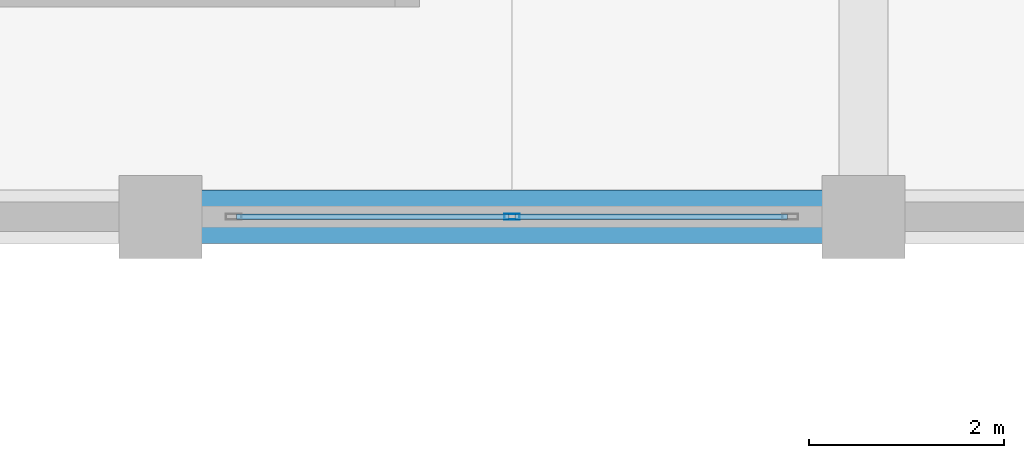
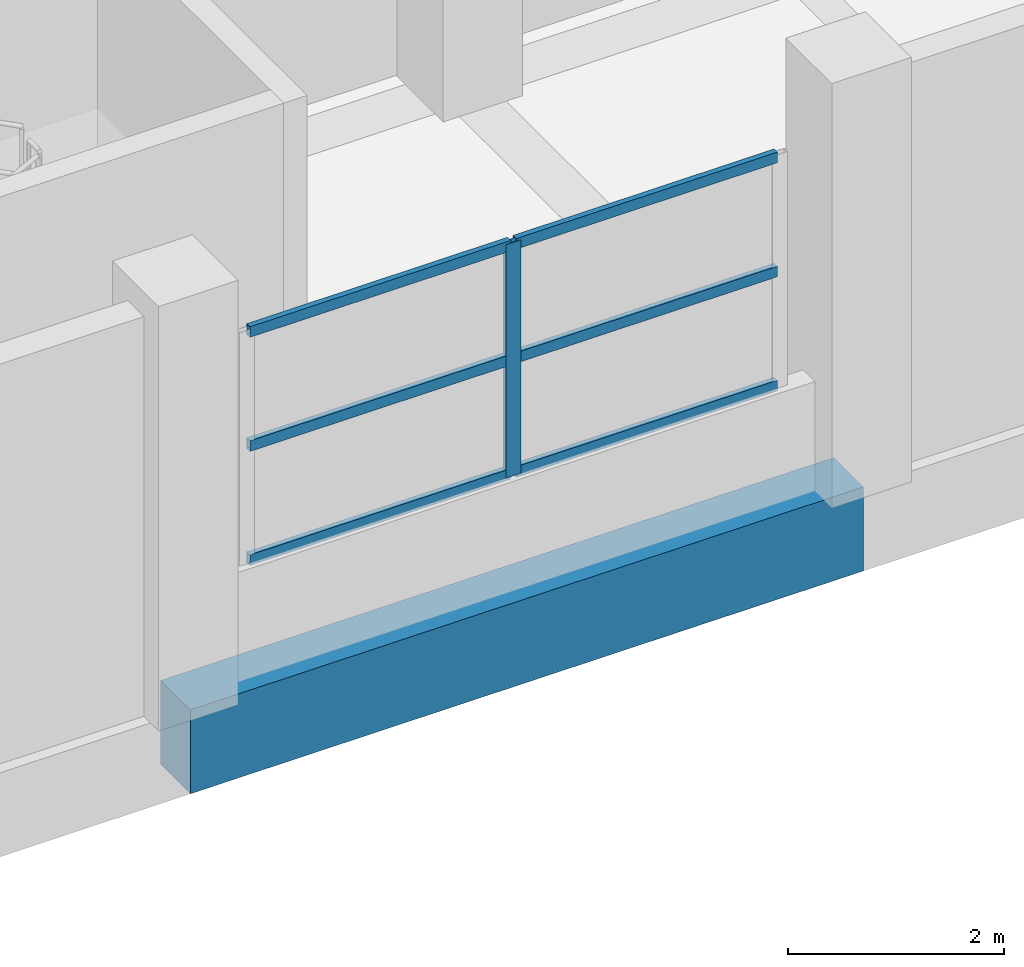
# One storey, part 74 of 181: 7 members, 1 beam, 1 element without a shape of its own.
"""IFC4 building model written with IfcOpenShell, lengths in metres."""

import ifcopenshell
import ifcopenshell.guid

model = None  # the IFC model being written
_history = None  # IfcOwnerHistory: only IFC2X3 demands one
_inside = {}  # id of a spatial element -> (the spatial element, [elements in it])
_under = {}  # id of a project, library or spatial element -> (it, [spatial elements below it])
_declared = {}  # id of a project -> (the project, [libraries it declares])
_typed = {}  # id of a type object -> (the type object, [elements of that type])
_made_of = {}  # id of a material, layer set ... -> (it, [elements and type objects made of it])


def new_model(schema):
    """Start an empty IFC model of exactly this schema.

    Asked for "IFC4X3", IfcOpenShell would pick the latest addendum, in which some entities
    have other attributes; the version numbers below select the first issue.
    IFC2X3 requires an IfcOwnerHistory on every rooted entity: one is made here for all.
    """
    global model, _history
    if schema == "IFC4X3":
        model = ifcopenshell.file(schema_version=(4, 3, 0, 0))
    else:
        model = ifcopenshell.file(schema=schema)
    _inside.clear()
    _under.clear()
    _declared.clear()
    _typed.clear()
    _made_of.clear()
    _history = None
    if model.schema == "IFC2X3":
        org = make("IfcOrganization", Name="unknown")
        user = make(
            "IfcPersonAndOrganization",
            ThePerson=make("IfcPerson", FamilyName="unknown"),
            TheOrganization=org,
        )
        app = make(
            "IfcApplication",
            ApplicationDeveloper=org,
            Version="unknown",
            ApplicationFullName="unknown",
            ApplicationIdentifier="unknown",
        )
        _history = make(
            "IfcOwnerHistory",
            OwningUser=user,
            OwningApplication=app,
            ChangeAction="ADDED",
            CreationDate=0,
        )
    return model


def make(cls, **values):
    """One entity of the class cls with the attributes given. An attribute that is None is left unset."""
    return model.create_entity(
        cls, **{name: value for name, value in values.items() if value is not None}
    )


def rooted(cls, **values):
    """An entity with a GlobalId (a new one), such as an element, a storey or a relation."""
    return make(cls, GlobalId=ifcopenshell.guid.new(), OwnerHistory=_history, **values)


def si_unit(unit_type, name, prefix=None):
    """IfcSIUnit, for example si_unit("LENGTHUNIT", "METRE", prefix="MILLI")."""
    return make("IfcSIUnit", UnitType=unit_type, Prefix=prefix, Name=name)


def assignment(units):
    """IfcUnitAssignment: the units of a project."""
    return None if units is None else make("IfcUnitAssignment", Units=units)


def point(xyz):
    """IfcCartesianPoint."""
    return None if xyz is None else make("IfcCartesianPoint", Coordinates=xyz)


def direction(xyz):
    """IfcDirection."""
    return None if xyz is None else make("IfcDirection", DirectionRatios=xyz)


def frame(location, z_axis=None, x_axis=None):
    """IfcAxis2Placement3D, a coordinate frame: its origin and axes. An axis left out is left unset."""
    return make(
        "IfcAxis2Placement3D",
        Location=point(location),
        Axis=direction(z_axis),
        RefDirection=direction(x_axis),
    )


def frame_2d(location, x_axis=None):
    """IfcAxis2Placement2D, a coordinate frame in the plane: its origin and x axis."""
    return make(
        "IfcAxis2Placement2D", Location=point(location), RefDirection=direction(x_axis)
    )


def origin():
    """The frame at (0, 0, 0) with its axes left unset."""
    return frame((0.0, 0.0, 0.0))


def origin_2d():
    """The frame at (0, 0) in the plane with its x axis left unset."""
    return frame_2d((0.0, 0.0))


def place(relative_to, where):
    """IfcLocalPlacement: puts the frame where relative to a parent placement (None: the world)."""
    return make(
        "IfcLocalPlacement", PlacementRelTo=relative_to, RelativePlacement=where
    )


def context(
    kind, dimensions, precision=None, world=None, true_north=None, identifier=None
):
    """IfcGeometricRepresentationContext, for example the 3D "Model" context."""
    return make(
        "IfcGeometricRepresentationContext",
        ContextIdentifier=identifier,
        ContextType=kind,
        CoordinateSpaceDimension=dimensions,
        Precision=precision,
        WorldCoordinateSystem=world,
        TrueNorth=true_north,
    )


def subcontext(parent, identifier, kind, view, scale=None):
    """IfcGeometricRepresentationSubContext, for example "Body" below "Model"."""
    return make(
        "IfcGeometricRepresentationSubContext",
        ContextIdentifier=identifier,
        ContextType=kind,
        ParentContext=parent,
        TargetScale=scale,
        TargetView=view,
    )


def project(units=None, contexts=None):
    """IfcProject with its units and contexts."""
    return rooted(
        "IfcProject",
        Name="project",
        RepresentationContexts=contexts,
        UnitsInContext=assignment(units),
    )


def spatial(cls, under=None, at=None, **own):
    """A site, building, storey or space (cls), placed at a placement, below another one or the project."""
    s = rooted(cls, ObjectPlacement=at, **own)
    if under is not None:
        _under.setdefault(under.id(), (under, []))[1].append(s)
    return s


def profile(cls, at=None, kind="AREA", **sizes):
    """A parametric profile (cls). Its sizes go by their IFC names, for example OverallWidth=200.0."""
    return make(cls, ProfileType=kind, Position=at, **sizes)


def rectangle(**sizes):
    """IfcRectangleProfileDef."""
    return profile("IfcRectangleProfileDef", **sizes)


def hollow_rectangle(**sizes):
    """IfcRectangleHollowProfileDef."""
    return profile("IfcRectangleHollowProfileDef", **sizes)


def extrude(swept, where, along, depth):
    """IfcExtrudedAreaSolid: the profile swept, set in the frame where, extruded along a direction by depth."""
    return make(
        "IfcExtrudedAreaSolid",
        SweptArea=swept,
        Position=where,
        ExtrudedDirection=direction(along),
        Depth=depth,
    )


def shape(context_of_items, identifier, shape_type, items):
    """IfcShapeRepresentation: the items that make up one representation, for example the "Body"."""
    return make(
        "IfcShapeRepresentation",
        ContextOfItems=context_of_items,
        RepresentationIdentifier=identifier,
        RepresentationType=shape_type,
        Items=items,
    )


def material(Name=None, Category=None):
    """IfcMaterial."""
    return make("IfcMaterial", Name=Name, Category=Category)


def layer(
    of_material, thickness, ventilated=None, Name=None, Category=None, Priority=None
):
    """IfcMaterialLayer: one layer of a wall or slab, of a material (None: an air gap)."""
    return make(
        "IfcMaterialLayer",
        Material=of_material,
        LayerThickness=thickness,
        IsVentilated=ventilated,
        Name=Name,
        Category=Category,
        Priority=Priority,
    )


def layer_set(layers, Name=None):
    """IfcMaterialLayerSet."""
    return make("IfcMaterialLayerSet", MaterialLayers=layers, LayerSetName=Name)


def material_profile(
    of_material, cross_section, Name=None, Category=None, Priority=None
):
    """IfcMaterialProfile: a cross section and its material."""
    return make(
        "IfcMaterialProfile",
        Name=Name,
        Material=of_material,
        Profile=cross_section,
        Priority=Priority,
        Category=Category,
    )


def profile_set(profiles, Name=None, composite=None):
    """IfcMaterialProfileSet."""
    return make(
        "IfcMaterialProfileSet",
        Name=Name,
        MaterialProfiles=profiles,
        CompositeProfile=composite,
    )


def made_of(thing, what):
    """Note that an element or type object is made of a material, layer set ...; save() writes the relation."""
    if what is not None:
        _made_of.setdefault(what.id(), (what, []))[1].append(thing)
    return thing


def type_object(cls, material=None, **own):
    """A type object (cls), such as IfcWallType, which elements share."""
    return made_of(rooted(cls, **own), material)


def element(
    cls,
    number,
    at=None,
    inside=None,
    cuts=None,
    type_object=None,
    material=None,
    context=None,
    identifier="Body",
    shape_type=None,
    held_by="IfcProductDefinitionShape",
    body=None,
    shapes=None,
    **own,
):
    """One element of the class cls, such as IfcWall. Its Tag is "e" and its number.

    at: its placement. inside: the storey or other place that contains it. cuts: it is an
    opening in that element (IfcRelVoidsElement). A single representation is given by context,
    identifier, shape_type and body (its items); several are given by shapes. held_by: the class
    of the entity that holds the representations. save() writes the other relations.
    """
    e = rooted(cls, Tag="e%d" % number, ObjectPlacement=at, **own)
    if body is not None:
        shapes = [shape(context, identifier, shape_type, body)]
    if shapes is not None:
        e.Representation = make(held_by, Representations=shapes)
    if inside is not None:
        _inside.setdefault(inside.id(), (inside, []))[1].append(e)
    if cuts is not None:
        rooted(
            "IfcRelVoidsElement", RelatingBuildingElement=cuts, RelatedOpeningElement=e
        )
    if type_object is not None:
        _typed.setdefault(type_object.id(), (type_object, []))[1].append(e)
    return made_of(e, material)


def aggregate(whole, parts):
    """IfcRelAggregates: a whole, such as a stair, and the parts it consists of."""
    return rooted("IfcRelAggregates", RelatingObject=whole, RelatedObjects=parts)


def save(model, path):
    """Write the relations noted so far, then the file.

    IfcRelAggregates (storeys below a building ...), IfcRelContainedInSpatialStructure (elements
    in a storey), IfcRelDefinesByType, IfcRelAssociatesMaterial and IfcRelDeclares: one each for
    every whole, place, type object, material and project.
    """
    for whole, parts in _under.values():
        aggregate(whole, parts)
    for where, things in _inside.values():
        rooted(
            "IfcRelContainedInSpatialStructure",
            RelatedElements=things,
            RelatingStructure=where,
        )
    for kind, things in _typed.values():
        rooted("IfcRelDefinesByType", RelatedObjects=things, RelatingType=kind)
    for what, things in _made_of.values():
        rooted("IfcRelAssociatesMaterial", RelatedObjects=things, RelatingMaterial=what)
    for by, libraries in _declared.values():
        rooted("IfcRelDeclares", RelatingContext=by, RelatedDefinitions=libraries)
    model.write(path)


model = new_model("IFC4")

# Units and contexts
model_context = context("Model", 3, precision=1e-05, world=origin(), true_north=direction((0.0, 1.0)))
body_context = subcontext(model_context, "Body", "Model", "MODEL_VIEW")
ifc_project = project(units=[si_unit("LENGTHUNIT", "METRE"), si_unit("AREAUNIT", "SQUARE_METRE"), si_unit("VOLUMEUNIT", "CUBIC_METRE"), si_unit("PLANEANGLEUNIT", "RADIAN"), si_unit("MASSUNIT", "GRAM", prefix="KILO")], contexts=[model_context])

# Site, building, storey
site_placement = place(None, origin())
site = spatial("IfcSite", under=ifc_project, at=site_placement, CompositionType="ELEMENT")
building_placement = place(site_placement, origin())
building = spatial("IfcBuilding", under=site, at=building_placement, Name="Seraya Terrace Polytechnic", CompositionType="ELEMENT")
storey_placement = place(building_placement, frame((0.0, 0.0, 4.800048828125)))
storey = spatial("IfcBuildingStorey", under=building, at=storey_placement, Name="L01", CompositionType="ELEMENT", Elevation=4.800048828125)

# Beam
ifc_material_1 = material(Name="Concrete C40/50", Category="concrete")
ifc_material_profile_1 = material_profile(ifc_material_1, rectangle(XDim=0.550048828125, YDim=0.949951171875, at=origin_2d()), Name="RC 550x950")
ifc_profile_set_1 = profile_set([ifc_material_profile_1], Name="Concrete C40/50")
beam_type = type_object("IfcBeamType", Name="BM-03", PredefinedType="BEAM", material=ifc_profile_set_1)
beam_placement = place(storey_placement, frame((57.60009765625, 64.800048828125, -0.47509765625), z_axis=(1.0, 0.0, 0.0), x_axis=(0.0, 1.0, 0.0)))
element("IfcBeam", 1, at=beam_placement, inside=storey, type_object=beam_type, Name="Beam BM-03 L01 X (57.6..64.8, 64.8)", PredefinedType="BEAM", context=body_context, shape_type="SweptSolid", body=[
    extrude(rectangle(XDim=0.550048828125, YDim=0.949951171875, at=origin_2d()), origin(), (0.0, 0.0, 1.0), 7.199951171875),
])

# Curtain wall, members
ifc_material_2 = material(Name="Anodised aluminium EN AW-6063 T6", Category="aluminium")
ifc_layer = layer(ifc_material_2, 0.179931640625, Name="CW-08")
ifc_layer_set = layer_set([ifc_layer], Name="Anodised aluminium EN AW-6063 T6")
curtain_wall_type = type_object("IfcCurtainWallType", Name="CW-08", PredefinedType="NOTDEFINED", material=ifc_layer_set)
curtain_wall_placement = place(storey_placement, origin())
curtain_wall = element("IfcCurtainWall", 2, at=curtain_wall_placement, inside=storey, type_object=curtain_wall_type, Name="Unitised curtain wall CW-08 (CW-L01-044)", PredefinedType="NOTDEFINED")
ifc_material_profile_2 = material_profile(ifc_material_2, hollow_rectangle(XDim=0.06005859375, YDim=0.159912109375, WallThickness=0.00341796875, at=origin_2d()), Name="RHS 160x60x3.5")
ifc_profile_set_2 = profile_set([ifc_material_profile_2], Name="Anodised aluminium EN AW-6063 T6")
member_type_1 = type_object("IfcMemberType", Name="CWM-02", PredefinedType="MULLION", material=ifc_profile_set_2)
member_1_placement = place(storey_placement, frame((61.199951171875, 64.800048828125, 1.239990234375), z_axis=(0.0, 0.0, 1.0), x_axis=(0.0, -1.0, 0.0)))
member_1 = element("IfcMember", 3, at=member_1_placement, type_object=member_type_1, Name="CW-08 mullion 2", PredefinedType="MULLION", context=body_context, shape_type="SweptSolid", body=[
    extrude(hollow_rectangle(XDim=0.06005859375, YDim=0.159912109375, WallThickness=0.00341796875, at=origin_2d()), origin(), (0.0, 0.0, 1.0), 2.639892578125),
])
ifc_material_profile_3 = material_profile(ifc_material_2, hollow_rectangle(XDim=0.06005859375, YDim=0.1201171875, WallThickness=0.003173828125, at=origin_2d()), Name="RHS 120x60x3.2")
ifc_profile_set_3 = profile_set([ifc_material_profile_3], Name="Anodised aluminium EN AW-6063 T6")
member_type_2 = type_object("IfcMemberType", Name="CWT-02", PredefinedType="USERDEFINED", material=ifc_profile_set_3)
member_2_placement = place(storey_placement, frame((64.02001953125, 64.800048828125, 1.27001953125), z_axis=(-1.0, 0.0, 0.0), x_axis=(0.0, -1.0, 0.0)))
member_2 = element("IfcMember", 4, at=member_2_placement, type_object=member_type_2, Name="CW-08 transom 1.1", ObjectType="TRANSOM", PredefinedType="USERDEFINED", context=body_context, shape_type="SweptSolid", body=[
    extrude(hollow_rectangle(XDim=0.06005859375, YDim=0.1201171875, WallThickness=0.003173828125, at=origin_2d()), origin(), (0.0, 0.0, 1.0), 2.7900390625),
])
member_3_placement = place(storey_placement, frame((64.02001953125, 64.800048828125, 2.56005859375), z_axis=(-1.0, 0.0, 0.0), x_axis=(0.0, -1.0, 0.0)))
member_3 = element("IfcMember", 5, at=member_3_placement, type_object=member_type_2, Name="CW-08 transom 1.2", ObjectType="TRANSOM", PredefinedType="USERDEFINED", context=body_context, shape_type="SweptSolid", body=[
    extrude(hollow_rectangle(XDim=0.06005859375, YDim=0.1201171875, WallThickness=0.003173828125, at=origin_2d()), origin(), (0.0, 0.0, 1.0), 2.7900390625),
])
member_4_placement = place(storey_placement, frame((64.02001953125, 64.800048828125, 3.849853515625), z_axis=(-1.0, 0.0, 0.0), x_axis=(0.0, -1.0, 0.0)))
member_4 = element("IfcMember", 6, at=member_4_placement, type_object=member_type_2, Name="CW-08 transom 1.3", ObjectType="TRANSOM", PredefinedType="USERDEFINED", context=body_context, shape_type="SweptSolid", body=[
    extrude(hollow_rectangle(XDim=0.06005859375, YDim=0.1201171875, WallThickness=0.003173828125, at=origin_2d()), origin(), (0.0, 0.0, 1.0), 2.7900390625),
])
member_5_placement = place(storey_placement, frame((61.169921875, 64.800048828125, 1.27001953125), z_axis=(-1.0, 0.0, 0.0), x_axis=(0.0, -1.0, 0.0)))
member_5 = element("IfcMember", 7, at=member_5_placement, type_object=member_type_2, Name="CW-08 transom 2.1", ObjectType="TRANSOM", PredefinedType="USERDEFINED", context=body_context, shape_type="SweptSolid", body=[
    extrude(hollow_rectangle(XDim=0.06005859375, YDim=0.1201171875, WallThickness=0.003173828125, at=origin_2d()), origin(), (0.0, 0.0, 1.0), 2.7900390625),
])
member_6_placement = place(storey_placement, frame((61.169921875, 64.800048828125, 2.56005859375), z_axis=(-1.0, 0.0, 0.0), x_axis=(0.0, -1.0, 0.0)))
member_6 = element("IfcMember", 8, at=member_6_placement, type_object=member_type_2, Name="CW-08 transom 2.2", ObjectType="TRANSOM", PredefinedType="USERDEFINED", context=body_context, shape_type="SweptSolid", body=[
    extrude(hollow_rectangle(XDim=0.06005859375, YDim=0.1201171875, WallThickness=0.003173828125, at=origin_2d()), origin(), (0.0, 0.0, 1.0), 2.7900390625),
])
member_7_placement = place(storey_placement, frame((61.169921875, 64.800048828125, 3.849853515625), z_axis=(-1.0, 0.0, 0.0), x_axis=(0.0, -1.0, 0.0)))
member_7 = element("IfcMember", 9, at=member_7_placement, type_object=member_type_2, Name="CW-08 transom 2.3", ObjectType="TRANSOM", PredefinedType="USERDEFINED", context=body_context, shape_type="SweptSolid", body=[
    extrude(hollow_rectangle(XDim=0.06005859375, YDim=0.1201171875, WallThickness=0.003173828125, at=origin_2d()), origin(), (0.0, 0.0, 1.0), 2.7900390625),
])
aggregate(curtain_wall, [member_1, member_2, member_3, member_4, member_5, member_6, member_7])

save(model, "model.ifc")
